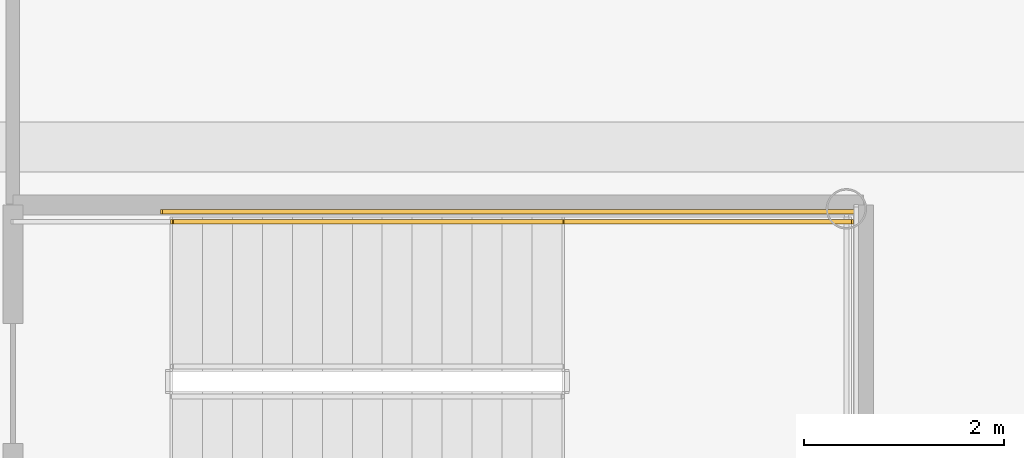
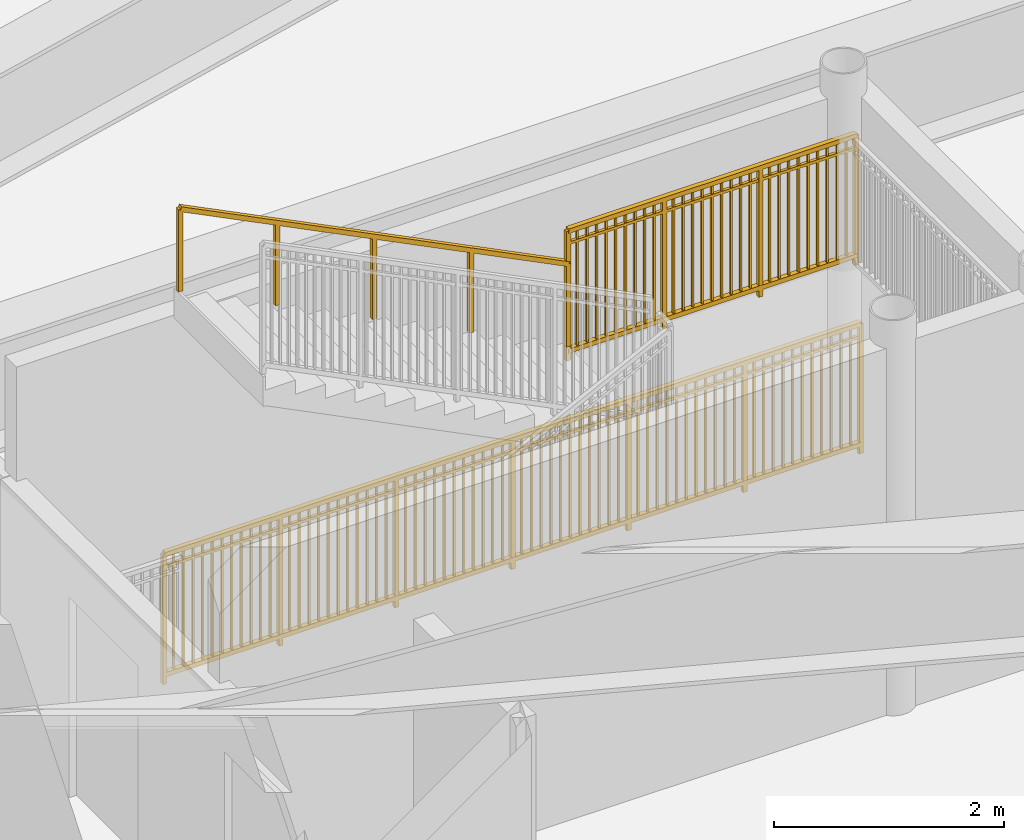
# One storey, part 27 of 27: 3 railings.
"""IFC4 building model written with IfcOpenShell, lengths in metres."""

from ifc_helpers import new_model, si_unit, direction, frame, origin, origin_2d, place, context, subcontext, project, spatial, rectangle, extrude, source, transform, mapped, material, type_object, element, save


model = new_model("IFC4")

# Units and contexts
model_context = context("Model", 3, precision=1e-05, world=origin(), true_north=direction((0.0, 1.0)))
body_context = subcontext(model_context, "Body", "Model", "MODEL_VIEW")
ifc_project = project(units=[si_unit("LENGTHUNIT", "METRE"), si_unit("AREAUNIT", "SQUARE_METRE"), si_unit("VOLUMEUNIT", "CUBIC_METRE"), si_unit("PLANEANGLEUNIT", "RADIAN"), si_unit("MASSUNIT", "GRAM", prefix="KILO")], contexts=[model_context])

# Site, building, storey
site_placement = place(None, origin())
site = spatial("IfcSite", under=ifc_project, at=site_placement, CompositionType="ELEMENT")
building_placement = place(site_placement, origin())
building = spatial("IfcBuilding", under=site, at=building_placement, Name="Linh Dai School and Residence Tower", CompositionType="ELEMENT")
storey_placement = place(building_placement, frame((0.0, 0.0, 22.800048828125)))
storey = spatial("IfcBuildingStorey", under=building, at=storey_placement, Name="L05", CompositionType="ELEMENT", Elevation=22.800048828125)

# Railings
ifc_material_1 = material(Name="Brushed Stainless Steel Handrail", Category="steel")
railing_type_1 = type_object("IfcRailingType", Name="RL-ST-HANDRAIL-900", PredefinedType="HANDRAIL", material=ifc_material_1)
shared_shape_1 = source(origin(), body_context, "Body", "SweptSolid", [
    extrude(rectangle(XDim=0.048095703125, YDim=0.048095703125, at=origin_2d()), frame((0.0, 0.0, 0.8759765625), z_axis=(-0.894427191, 0.0, 0.4472135955), x_axis=(0.0, -1.0, 0.0)), (0.0, 0.0, 1.0), 4.360107421875),
    extrude(rectangle(XDim=0.0419921875, YDim=0.0419921875, at=origin_2d()), origin(), (0.0, 0.0, 1.0), 0.8759765625),
    extrude(rectangle(XDim=0.0419921875, YDim=0.0419921875, at=origin_2d()), frame((-0.97509765625, 0.0, 0.487548828125)), (0.0, 0.0, 1.0), 0.8759765625),
    extrude(rectangle(XDim=0.0419921875, YDim=0.0419921875, at=origin_2d()), frame((-1.949951171875, 0.0, 0.97509765625)), (0.0, 0.0, 1.0), 0.8759765625),
    extrude(rectangle(XDim=0.0419921875, YDim=0.0419921875, at=origin_2d()), frame((-2.9248046875, 0.0, 1.46240234375)), (0.0, 0.0, 1.0), 0.8759765625),
    extrude(rectangle(XDim=0.0419921875, YDim=0.0419921875, at=origin_2d()), frame((-3.89990234375, 0.0, 1.949951171875)), (0.0, 0.0, 1.0), 0.8759765625),
])
railing_1_placement = place(storey_placement, frame((53.5, 26.25, 2.25)))
element("IfcRailing", 1, at=railing_1_placement, inside=storey, type_object=railing_type_1, Name="L05 STS2 stair handrail 2", PredefinedType="HANDRAIL", context=body_context, shape_type="MappedRepresentation", body=[
    mapped(shared_shape_1, transform((0.0, 0.0, 0.0), x_axis=(1.0, 0.0, 0.0), y_axis=(0.0, 1.0, 0.0), z_axis=(0.0, 0.0, 1.0), scale=1.0)),
])
ifc_material_2 = material(Name="Structural Steel S355JR", Category="steel")
railing_type_2 = type_object("IfcRailingType", Name="RL-ST-GUARD-1400", PredefinedType="GUARDRAIL", material=ifc_material_2)
shared_shape_2 = source(origin(), body_context, "Body", "SweptSolid", [
    extrude(rectangle(XDim=0.048095703125, YDim=0.048095703125, at=origin_2d()), frame((0.0, 0.0, 1.3759765625), z_axis=(1.0, 0.0, 0.0), x_axis=(0.0, 1.0, 0.0)), (0.0, 0.0, 1.0), 2.89990234375),
    extrude(rectangle(XDim=0.048095703125, YDim=0.048095703125, at=origin_2d()), frame((0.0, 0.0, 0.10009765625), z_axis=(1.0, 0.0, 0.0), x_axis=(0.0, 1.0, 0.0)), (0.0, 0.0, 1.0), 2.89990234375),
    extrude(rectangle(XDim=0.030029296875, YDim=0.030029296875, at=origin_2d()), frame((0.0, 0.0, 1.239990234375), z_axis=(1.0, 0.0, 0.0), x_axis=(0.0, 1.0, 0.0)), (0.0, 0.0, 1.0), 2.89990234375),
    extrude(rectangle(XDim=0.02001953125, YDim=0.02001953125, at=origin_2d()), frame((0.0966796875, 0.0, 0.10009765625)), (0.0, 0.0, 1.0), 1.251708984375),
    extrude(rectangle(XDim=0.02001953125, YDim=0.02001953125, at=origin_2d()), frame((0.193359375, 0.0, 0.10009765625)), (0.0, 0.0, 1.0), 1.251708984375),
    extrude(rectangle(XDim=0.02001953125, YDim=0.02001953125, at=origin_2d()), frame((0.2900390625, 0.0, 0.10009765625)), (0.0, 0.0, 1.0), 1.251708984375),
    extrude(rectangle(XDim=0.02001953125, YDim=0.02001953125, at=origin_2d()), frame((0.38671875, 0.0, 0.10009765625)), (0.0, 0.0, 1.0), 1.251708984375),
    extrude(rectangle(XDim=0.02001953125, YDim=0.02001953125, at=origin_2d()), frame((0.4833984375, 0.0, 0.10009765625)), (0.0, 0.0, 1.0), 1.251708984375),
    extrude(rectangle(XDim=0.02001953125, YDim=0.02001953125, at=origin_2d()), frame((0.580078125, 0.0, 0.10009765625)), (0.0, 0.0, 1.0), 1.251708984375),
    extrude(rectangle(XDim=0.02001953125, YDim=0.02001953125, at=origin_2d()), frame((0.6767578125, 0.0, 0.10009765625)), (0.0, 0.0, 1.0), 1.251708984375),
    extrude(rectangle(XDim=0.02001953125, YDim=0.02001953125, at=origin_2d()), frame((0.773193359375, 0.0, 0.10009765625)), (0.0, 0.0, 1.0), 1.251708984375),
    extrude(rectangle(XDim=0.02001953125, YDim=0.02001953125, at=origin_2d()), frame((0.869873046875, 0.0, 0.10009765625)), (0.0, 0.0, 1.0), 1.251708984375),
    extrude(rectangle(XDim=0.02001953125, YDim=0.02001953125, at=origin_2d()), frame((1.063232421875, 0.0, 0.10009765625)), (0.0, 0.0, 1.0), 1.251708984375),
    extrude(rectangle(XDim=0.02001953125, YDim=0.02001953125, at=origin_2d()), frame((1.159912109375, 0.0, 0.10009765625)), (0.0, 0.0, 1.0), 1.251708984375),
    extrude(rectangle(XDim=0.02001953125, YDim=0.02001953125, at=origin_2d()), frame((1.256591796875, 0.0, 0.10009765625)), (0.0, 0.0, 1.0), 1.251708984375),
    extrude(rectangle(XDim=0.02001953125, YDim=0.02001953125, at=origin_2d()), frame((1.353271484375, 0.0, 0.10009765625)), (0.0, 0.0, 1.0), 1.251708984375),
    extrude(rectangle(XDim=0.02001953125, YDim=0.02001953125, at=origin_2d()), frame((1.449951171875, 0.0, 0.10009765625)), (0.0, 0.0, 1.0), 1.251708984375),
    extrude(rectangle(XDim=0.02001953125, YDim=0.02001953125, at=origin_2d()), frame((1.546630859375, 0.0, 0.10009765625)), (0.0, 0.0, 1.0), 1.251708984375),
    extrude(rectangle(XDim=0.02001953125, YDim=0.02001953125, at=origin_2d()), frame((1.643310546875, 0.0, 0.10009765625)), (0.0, 0.0, 1.0), 1.251708984375),
    extrude(rectangle(XDim=0.02001953125, YDim=0.02001953125, at=origin_2d()), frame((1.739990234375, 0.0, 0.10009765625)), (0.0, 0.0, 1.0), 1.251708984375),
    extrude(rectangle(XDim=0.02001953125, YDim=0.02001953125, at=origin_2d()), frame((1.836669921875, 0.0, 0.10009765625)), (0.0, 0.0, 1.0), 1.251708984375),
    extrude(rectangle(XDim=0.02001953125, YDim=0.02001953125, at=origin_2d()), frame((2.030029296875, 0.0, 0.10009765625)), (0.0, 0.0, 1.0), 1.251708984375),
    extrude(rectangle(XDim=0.02001953125, YDim=0.02001953125, at=origin_2d()), frame((2.126708984375, 0.0, 0.10009765625)), (0.0, 0.0, 1.0), 1.251708984375),
    extrude(rectangle(XDim=0.02001953125, YDim=0.02001953125, at=origin_2d()), frame((2.22314453125, 0.0, 0.10009765625)), (0.0, 0.0, 1.0), 1.251708984375),
    extrude(rectangle(XDim=0.02001953125, YDim=0.02001953125, at=origin_2d()), frame((2.31982421875, 0.0, 0.10009765625)), (0.0, 0.0, 1.0), 1.251708984375),
    extrude(rectangle(XDim=0.02001953125, YDim=0.02001953125, at=origin_2d()), frame((2.41650390625, 0.0, 0.10009765625)), (0.0, 0.0, 1.0), 1.251708984375),
    extrude(rectangle(XDim=0.02001953125, YDim=0.02001953125, at=origin_2d()), frame((2.51318359375, 0.0, 0.10009765625)), (0.0, 0.0, 1.0), 1.251708984375),
    extrude(rectangle(XDim=0.02001953125, YDim=0.02001953125, at=origin_2d()), frame((2.60986328125, 0.0, 0.10009765625)), (0.0, 0.0, 1.0), 1.251708984375),
    extrude(rectangle(XDim=0.02001953125, YDim=0.02001953125, at=origin_2d()), frame((2.70654296875, 0.0, 0.10009765625)), (0.0, 0.0, 1.0), 1.251708984375),
    extrude(rectangle(XDim=0.02001953125, YDim=0.02001953125, at=origin_2d()), frame((2.80322265625, 0.0, 0.10009765625)), (0.0, 0.0, 1.0), 1.251708984375),
    extrude(rectangle(XDim=0.0419921875, YDim=0.0419921875, at=origin_2d()), origin(), (0.0, 0.0, 1.0), 1.3759765625),
    extrude(rectangle(XDim=0.0419921875, YDim=0.0419921875, at=origin_2d()), frame((0.966552734375, 0.0, 0.0)), (0.0, 0.0, 1.0), 1.3759765625),
    extrude(rectangle(XDim=0.0419921875, YDim=0.0419921875, at=origin_2d()), frame((1.933349609375, 0.0, 0.0)), (0.0, 0.0, 1.0), 1.3759765625),
    extrude(rectangle(XDim=0.0419921875, YDim=0.0419921875, at=origin_2d()), frame((2.89990234375, 0.0, 0.0)), (0.0, 0.0, 1.0), 1.3759765625),
])
railing_2_placement = place(storey_placement, frame((53.5, 26.25, 2.099853515625)))
element("IfcRailing", 2, at=railing_2_placement, inside=storey, type_object=railing_type_2, Name="L05 STS2 stair guard 4", PredefinedType="GUARDRAIL", context=body_context, shape_type="MappedRepresentation", body=[
    mapped(shared_shape_2, transform((0.0, 0.0, 0.0), x_axis=(1.0, 0.0, 0.0), y_axis=(0.0, 1.0, 0.0), z_axis=(0.0, 0.0, 1.0), scale=1.0)),
])
shared_shape_3 = source(origin(), body_context, "Body", "SweptSolid", [
    extrude(rectangle(XDim=0.048095703125, YDim=0.048095703125, at=origin_2d()), frame((0.0, 0.0, 1.3759765625), z_axis=(1.0, 0.0, 0.0), x_axis=(0.0, 1.0, 0.0)), (0.0, 0.0, 1.0), 7.0),
    extrude(rectangle(XDim=0.048095703125, YDim=0.048095703125, at=origin_2d()), frame((0.0, 0.0, 0.10009765625), z_axis=(1.0, 0.0, 0.0), x_axis=(0.0, 1.0, 0.0)), (0.0, 0.0, 1.0), 7.0),
    extrude(rectangle(XDim=0.030029296875, YDim=0.030029296875, at=origin_2d()), frame((0.0, 0.0, 1.239990234375), z_axis=(1.0, 0.0, 0.0), x_axis=(0.0, 1.0, 0.0)), (0.0, 0.0, 1.0), 7.0),
    extrude(rectangle(XDim=0.02001953125, YDim=0.02001953125, at=origin_2d()), frame((0.09716796875, 0.0, 0.10009765625)), (0.0, 0.0, 1.0), 1.251708984375),
    extrude(rectangle(XDim=0.02001953125, YDim=0.02001953125, at=origin_2d()), frame((0.1943359375, 0.0, 0.10009765625)), (0.0, 0.0, 1.0), 1.251708984375),
    extrude(rectangle(XDim=0.02001953125, YDim=0.02001953125, at=origin_2d()), frame((0.291748046875, 0.0, 0.10009765625)), (0.0, 0.0, 1.0), 1.251708984375),
    extrude(rectangle(XDim=0.02001953125, YDim=0.02001953125, at=origin_2d()), frame((0.388916015625, 0.0, 0.10009765625)), (0.0, 0.0, 1.0), 1.251708984375),
    extrude(rectangle(XDim=0.02001953125, YDim=0.02001953125, at=origin_2d()), frame((0.486083984375, 0.0, 0.10009765625)), (0.0, 0.0, 1.0), 1.251708984375),
    extrude(rectangle(XDim=0.02001953125, YDim=0.02001953125, at=origin_2d()), frame((0.583251953125, 0.0, 0.10009765625)), (0.0, 0.0, 1.0), 1.251708984375),
    extrude(rectangle(XDim=0.02001953125, YDim=0.02001953125, at=origin_2d()), frame((0.6806640625, 0.0, 0.10009765625)), (0.0, 0.0, 1.0), 1.251708984375),
    extrude(rectangle(XDim=0.02001953125, YDim=0.02001953125, at=origin_2d()), frame((0.77783203125, 0.0, 0.10009765625)), (0.0, 0.0, 1.0), 1.251708984375),
    extrude(rectangle(XDim=0.02001953125, YDim=0.02001953125, at=origin_2d()), frame((0.875, 0.0, 0.10009765625)), (0.0, 0.0, 1.0), 1.251708984375),
    extrude(rectangle(XDim=0.02001953125, YDim=0.02001953125, at=origin_2d()), frame((0.97216796875, 0.0, 0.10009765625)), (0.0, 0.0, 1.0), 1.251708984375),
    extrude(rectangle(XDim=0.02001953125, YDim=0.02001953125, at=origin_2d()), frame((1.0693359375, 0.0, 0.10009765625)), (0.0, 0.0, 1.0), 1.251708984375),
    extrude(rectangle(XDim=0.02001953125, YDim=0.02001953125, at=origin_2d()), frame((1.263916015625, 0.0, 0.10009765625)), (0.0, 0.0, 1.0), 1.251708984375),
    extrude(rectangle(XDim=0.02001953125, YDim=0.02001953125, at=origin_2d()), frame((1.361083984375, 0.0, 0.10009765625)), (0.0, 0.0, 1.0), 1.251708984375),
    extrude(rectangle(XDim=0.02001953125, YDim=0.02001953125, at=origin_2d()), frame((1.458251953125, 0.0, 0.10009765625)), (0.0, 0.0, 1.0), 1.251708984375),
    extrude(rectangle(XDim=0.02001953125, YDim=0.02001953125, at=origin_2d()), frame((1.5556640625, 0.0, 0.10009765625)), (0.0, 0.0, 1.0), 1.251708984375),
    extrude(rectangle(XDim=0.02001953125, YDim=0.02001953125, at=origin_2d()), frame((1.65283203125, 0.0, 0.10009765625)), (0.0, 0.0, 1.0), 1.251708984375),
    extrude(rectangle(XDim=0.02001953125, YDim=0.02001953125, at=origin_2d()), frame((1.75, 0.0, 0.10009765625)), (0.0, 0.0, 1.0), 1.251708984375),
    extrude(rectangle(XDim=0.02001953125, YDim=0.02001953125, at=origin_2d()), frame((1.84716796875, 0.0, 0.10009765625)), (0.0, 0.0, 1.0), 1.251708984375),
    extrude(rectangle(XDim=0.02001953125, YDim=0.02001953125, at=origin_2d()), frame((1.9443359375, 0.0, 0.10009765625)), (0.0, 0.0, 1.0), 1.251708984375),
    extrude(rectangle(XDim=0.02001953125, YDim=0.02001953125, at=origin_2d()), frame((2.041748046875, 0.0, 0.10009765625)), (0.0, 0.0, 1.0), 1.251708984375),
    extrude(rectangle(XDim=0.02001953125, YDim=0.02001953125, at=origin_2d()), frame((2.138916015625, 0.0, 0.10009765625)), (0.0, 0.0, 1.0), 1.251708984375),
    extrude(rectangle(XDim=0.02001953125, YDim=0.02001953125, at=origin_2d()), frame((2.236083984375, 0.0, 0.10009765625)), (0.0, 0.0, 1.0), 1.251708984375),
    extrude(rectangle(XDim=0.02001953125, YDim=0.02001953125, at=origin_2d()), frame((2.4306640625, 0.0, 0.10009765625)), (0.0, 0.0, 1.0), 1.251708984375),
    extrude(rectangle(XDim=0.02001953125, YDim=0.02001953125, at=origin_2d()), frame((2.52783203125, 0.0, 0.10009765625)), (0.0, 0.0, 1.0), 1.251708984375),
    extrude(rectangle(XDim=0.02001953125, YDim=0.02001953125, at=origin_2d()), frame((2.625, 0.0, 0.10009765625)), (0.0, 0.0, 1.0), 1.251708984375),
    extrude(rectangle(XDim=0.02001953125, YDim=0.02001953125, at=origin_2d()), frame((2.72216796875, 0.0, 0.10009765625)), (0.0, 0.0, 1.0), 1.251708984375),
    extrude(rectangle(XDim=0.02001953125, YDim=0.02001953125, at=origin_2d()), frame((2.8193359375, 0.0, 0.10009765625)), (0.0, 0.0, 1.0), 1.251708984375),
    extrude(rectangle(XDim=0.02001953125, YDim=0.02001953125, at=origin_2d()), frame((2.916748046875, 0.0, 0.10009765625)), (0.0, 0.0, 1.0), 1.251708984375),
    extrude(rectangle(XDim=0.02001953125, YDim=0.02001953125, at=origin_2d()), frame((3.013916015625, 0.0, 0.10009765625)), (0.0, 0.0, 1.0), 1.251708984375),
    extrude(rectangle(XDim=0.02001953125, YDim=0.02001953125, at=origin_2d()), frame((3.111083984375, 0.0, 0.10009765625)), (0.0, 0.0, 1.0), 1.251708984375),
    extrude(rectangle(XDim=0.02001953125, YDim=0.02001953125, at=origin_2d()), frame((3.208251953125, 0.0, 0.10009765625)), (0.0, 0.0, 1.0), 1.251708984375),
    extrude(rectangle(XDim=0.02001953125, YDim=0.02001953125, at=origin_2d()), frame((3.3056640625, 0.0, 0.10009765625)), (0.0, 0.0, 1.0), 1.251708984375),
    extrude(rectangle(XDim=0.02001953125, YDim=0.02001953125, at=origin_2d()), frame((3.40283203125, 0.0, 0.10009765625)), (0.0, 0.0, 1.0), 1.251708984375),
    extrude(rectangle(XDim=0.02001953125, YDim=0.02001953125, at=origin_2d()), frame((3.59716796875, 0.0, 0.10009765625)), (0.0, 0.0, 1.0), 1.251708984375),
    extrude(rectangle(XDim=0.02001953125, YDim=0.02001953125, at=origin_2d()), frame((3.6943359375, 0.0, 0.10009765625)), (0.0, 0.0, 1.0), 1.251708984375),
    extrude(rectangle(XDim=0.02001953125, YDim=0.02001953125, at=origin_2d()), frame((3.791748046875, 0.0, 0.10009765625)), (0.0, 0.0, 1.0), 1.251708984375),
    extrude(rectangle(XDim=0.02001953125, YDim=0.02001953125, at=origin_2d()), frame((3.888916015625, 0.0, 0.10009765625)), (0.0, 0.0, 1.0), 1.251708984375),
    extrude(rectangle(XDim=0.02001953125, YDim=0.02001953125, at=origin_2d()), frame((3.986083984375, 0.0, 0.10009765625)), (0.0, 0.0, 1.0), 1.251708984375),
    extrude(rectangle(XDim=0.02001953125, YDim=0.02001953125, at=origin_2d()), frame((4.083251953125, 0.0, 0.10009765625)), (0.0, 0.0, 1.0), 1.251708984375),
    extrude(rectangle(XDim=0.02001953125, YDim=0.02001953125, at=origin_2d()), frame((4.1806640625, 0.0, 0.10009765625)), (0.0, 0.0, 1.0), 1.251708984375),
    extrude(rectangle(XDim=0.02001953125, YDim=0.02001953125, at=origin_2d()), frame((4.27783203125, 0.0, 0.10009765625)), (0.0, 0.0, 1.0), 1.251708984375),
    extrude(rectangle(XDim=0.02001953125, YDim=0.02001953125, at=origin_2d()), frame((4.375, 0.0, 0.10009765625)), (0.0, 0.0, 1.0), 1.251708984375),
    extrude(rectangle(XDim=0.02001953125, YDim=0.02001953125, at=origin_2d()), frame((4.47216796875, 0.0, 0.10009765625)), (0.0, 0.0, 1.0), 1.251708984375),
    extrude(rectangle(XDim=0.02001953125, YDim=0.02001953125, at=origin_2d()), frame((4.5693359375, 0.0, 0.10009765625)), (0.0, 0.0, 1.0), 1.251708984375),
    extrude(rectangle(XDim=0.02001953125, YDim=0.02001953125, at=origin_2d()), frame((4.763916015625, 0.0, 0.10009765625)), (0.0, 0.0, 1.0), 1.251708984375),
    extrude(rectangle(XDim=0.02001953125, YDim=0.02001953125, at=origin_2d()), frame((4.861083984375, 0.0, 0.10009765625)), (0.0, 0.0, 1.0), 1.251708984375),
    extrude(rectangle(XDim=0.02001953125, YDim=0.02001953125, at=origin_2d()), frame((4.958251953125, 0.0, 0.10009765625)), (0.0, 0.0, 1.0), 1.251708984375),
    extrude(rectangle(XDim=0.02001953125, YDim=0.02001953125, at=origin_2d()), frame((5.0556640625, 0.0, 0.10009765625)), (0.0, 0.0, 1.0), 1.251708984375),
    extrude(rectangle(XDim=0.02001953125, YDim=0.02001953125, at=origin_2d()), frame((5.15283203125, 0.0, 0.10009765625)), (0.0, 0.0, 1.0), 1.251708984375),
    extrude(rectangle(XDim=0.02001953125, YDim=0.02001953125, at=origin_2d()), frame((5.25, 0.0, 0.10009765625)), (0.0, 0.0, 1.0), 1.251708984375),
    extrude(rectangle(XDim=0.02001953125, YDim=0.02001953125, at=origin_2d()), frame((5.34716796875, 0.0, 0.10009765625)), (0.0, 0.0, 1.0), 1.251708984375),
    extrude(rectangle(XDim=0.02001953125, YDim=0.02001953125, at=origin_2d()), frame((5.4443359375, 0.0, 0.10009765625)), (0.0, 0.0, 1.0), 1.251708984375),
    extrude(rectangle(XDim=0.02001953125, YDim=0.02001953125, at=origin_2d()), frame((5.541748046875, 0.0, 0.10009765625)), (0.0, 0.0, 1.0), 1.251708984375),
    extrude(rectangle(XDim=0.02001953125, YDim=0.02001953125, at=origin_2d()), frame((5.638916015625, 0.0, 0.10009765625)), (0.0, 0.0, 1.0), 1.251708984375),
    extrude(rectangle(XDim=0.02001953125, YDim=0.02001953125, at=origin_2d()), frame((5.736083984375, 0.0, 0.10009765625)), (0.0, 0.0, 1.0), 1.251708984375),
    extrude(rectangle(XDim=0.02001953125, YDim=0.02001953125, at=origin_2d()), frame((5.9306640625, 0.0, 0.10009765625)), (0.0, 0.0, 1.0), 1.251708984375),
    extrude(rectangle(XDim=0.02001953125, YDim=0.02001953125, at=origin_2d()), frame((6.02783203125, 0.0, 0.10009765625)), (0.0, 0.0, 1.0), 1.251708984375),
    extrude(rectangle(XDim=0.02001953125, YDim=0.02001953125, at=origin_2d()), frame((6.125, 0.0, 0.10009765625)), (0.0, 0.0, 1.0), 1.251708984375),
    extrude(rectangle(XDim=0.02001953125, YDim=0.02001953125, at=origin_2d()), frame((6.22216796875, 0.0, 0.10009765625)), (0.0, 0.0, 1.0), 1.251708984375),
    extrude(rectangle(XDim=0.02001953125, YDim=0.02001953125, at=origin_2d()), frame((6.3193359375, 0.0, 0.10009765625)), (0.0, 0.0, 1.0), 1.251708984375),
    extrude(rectangle(XDim=0.02001953125, YDim=0.02001953125, at=origin_2d()), frame((6.416748046875, 0.0, 0.10009765625)), (0.0, 0.0, 1.0), 1.251708984375),
    extrude(rectangle(XDim=0.02001953125, YDim=0.02001953125, at=origin_2d()), frame((6.513916015625, 0.0, 0.10009765625)), (0.0, 0.0, 1.0), 1.251708984375),
    extrude(rectangle(XDim=0.02001953125, YDim=0.02001953125, at=origin_2d()), frame((6.611083984375, 0.0, 0.10009765625)), (0.0, 0.0, 1.0), 1.251708984375),
    extrude(rectangle(XDim=0.02001953125, YDim=0.02001953125, at=origin_2d()), frame((6.708251953125, 0.0, 0.10009765625)), (0.0, 0.0, 1.0), 1.251708984375),
    extrude(rectangle(XDim=0.02001953125, YDim=0.02001953125, at=origin_2d()), frame((6.8056640625, 0.0, 0.10009765625)), (0.0, 0.0, 1.0), 1.251708984375),
    extrude(rectangle(XDim=0.02001953125, YDim=0.02001953125, at=origin_2d()), frame((6.90283203125, 0.0, 0.10009765625)), (0.0, 0.0, 1.0), 1.251708984375),
    extrude(rectangle(XDim=0.0419921875, YDim=0.0419921875, at=origin_2d()), origin(), (0.0, 0.0, 1.0), 1.3759765625),
    extrude(rectangle(XDim=0.0419921875, YDim=0.0419921875, at=origin_2d()), frame((1.166748046875, 0.0, 0.0)), (0.0, 0.0, 1.0), 1.3759765625),
    extrude(rectangle(XDim=0.0419921875, YDim=0.0419921875, at=origin_2d()), frame((2.333251953125, 0.0, 0.0)), (0.0, 0.0, 1.0), 1.3759765625),
    extrude(rectangle(XDim=0.0419921875, YDim=0.0419921875, at=origin_2d()), frame((3.5, 0.0, 0.0)), (0.0, 0.0, 1.0), 1.3759765625),
    extrude(rectangle(XDim=0.0419921875, YDim=0.0419921875, at=origin_2d()), frame((4.666748046875, 0.0, 0.0)), (0.0, 0.0, 1.0), 1.3759765625),
    extrude(rectangle(XDim=0.0419921875, YDim=0.0419921875, at=origin_2d()), frame((5.833251953125, 0.0, 0.0)), (0.0, 0.0, 1.0), 1.3759765625),
    extrude(rectangle(XDim=0.0419921875, YDim=0.0419921875, at=origin_2d()), frame((7.0, 0.0, 0.0)), (0.0, 0.0, 1.0), 1.3759765625),
])
railing_3_placement = place(storey_placement, frame((49.5, 26.35009765625, 0.0)))
element("IfcRailing", 3, at=railing_3_placement, inside=storey, type_object=railing_type_2, Name="L05 STS2 stair guard 11", PredefinedType="GUARDRAIL", context=body_context, shape_type="MappedRepresentation", body=[
    mapped(shared_shape_3, transform((0.0, 0.0, 0.0), x_axis=(1.0, 0.0, 0.0), y_axis=(0.0, 1.0, 0.0), z_axis=(0.0, 0.0, 1.0), scale=1.0)),
])

save(model, "model.ifc")
